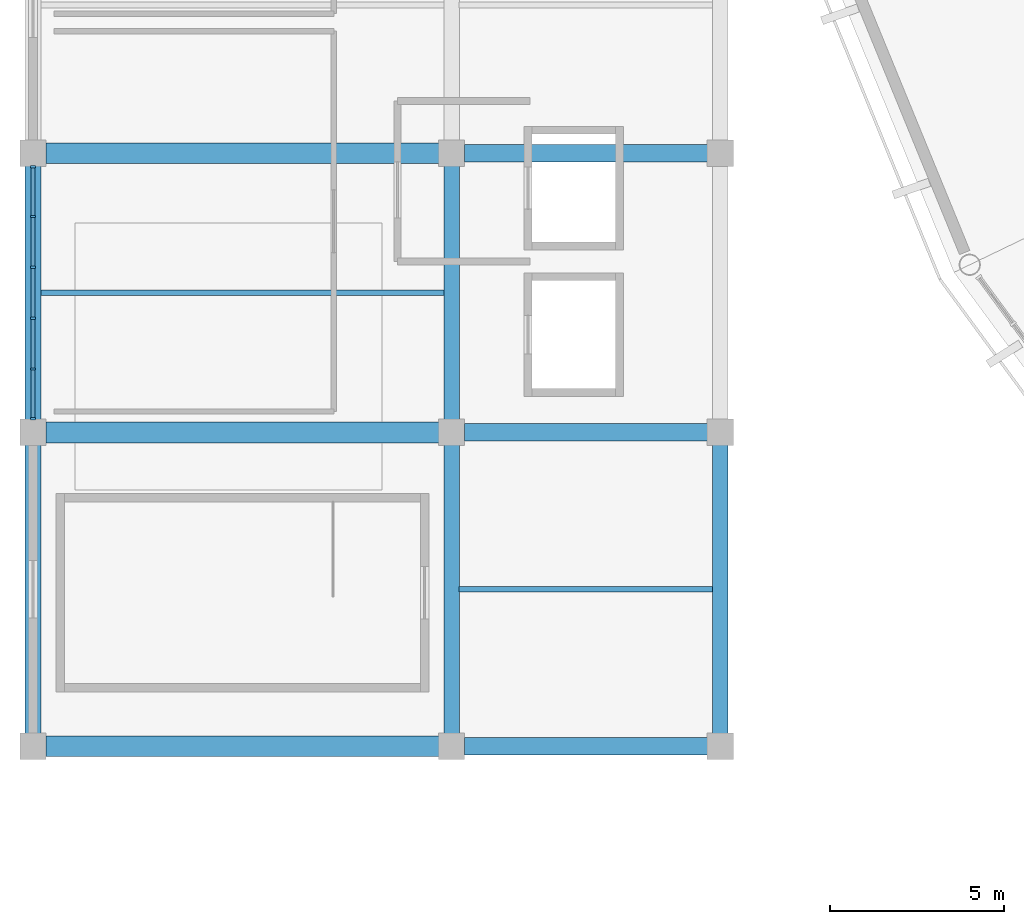
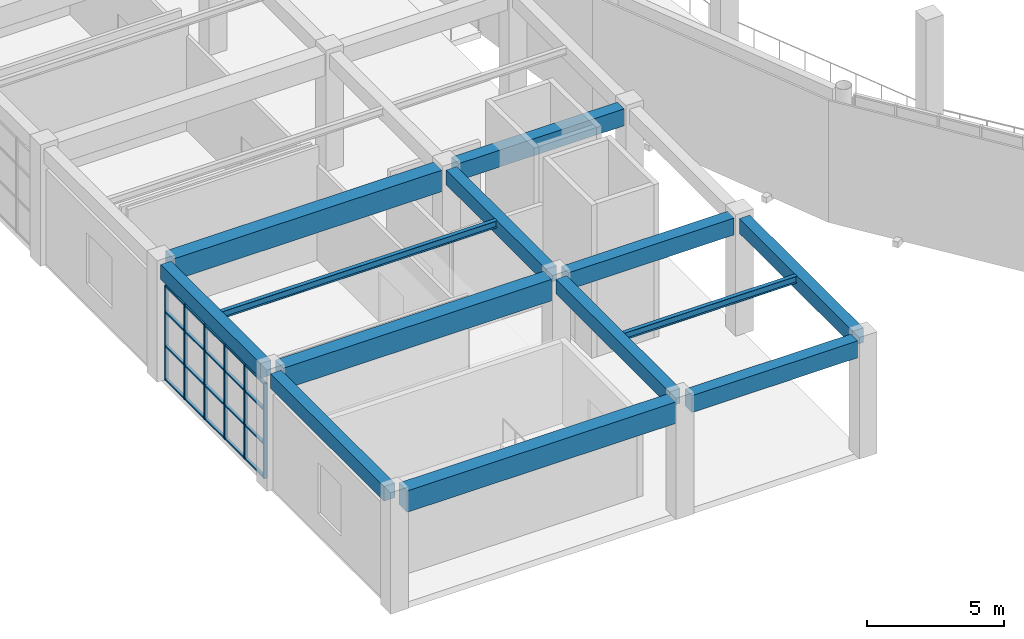
# One storey, part 8 of 40: 26 members, 13 beams, 1 element without a shape of its own.
"""IFC4 building model written with IfcOpenShell, lengths in metres."""

from ifc_helpers import new_model, si_unit, direction, frame, origin, origin_2d, place, context, subcontext, project, spatial, rectangle, i_section, extrude, material, material_profile, profile_set, type_object, element, aggregate, save


model = new_model("IFC4")

# Units and contexts
model_context = context("Model", 3, precision=1e-05, world=origin(), true_north=direction((0.0, 1.0)))
body_context = subcontext(model_context, "Body", "Model", "MODEL_VIEW")
ifc_project = project(units=[si_unit("LENGTHUNIT", "METRE"), si_unit("AREAUNIT", "SQUARE_METRE"), si_unit("VOLUMEUNIT", "CUBIC_METRE"), si_unit("PLANEANGLEUNIT", "RADIAN"), si_unit("MASSUNIT", "GRAM", prefix="KILO")], contexts=[model_context])

# Site, building, storey
site_placement = place(None, origin())
site = spatial("IfcSite", under=ifc_project, at=site_placement, CompositionType="ELEMENT")
building_placement = place(site_placement, origin())
building = spatial("IfcBuilding", under=site, at=building_placement, Name="Cuetzalor Civic Arena", CompositionType="ELEMENT")
storey_placement = place(building_placement, frame((0.0, 0.0, 26.39990234375)))
storey = spatial("IfcBuildingStorey", under=building, at=storey_placement, Name="L05", CompositionType="ELEMENT", Elevation=26.39990234375)

# Beams
ifc_material_1 = material(Name="Concrete C40/50", Category="concrete")
ifc_material_profile_1 = material_profile(ifc_material_1, rectangle(XDim=0.5, YDim=0.75, at=origin_2d()), Name="RC 500x750")
ifc_profile_set_1 = profile_set([ifc_material_profile_1], Name="Concrete C40/50")
beam_type_1 = type_object("IfcBeamType", Name="ConcreteFrameBeam_500x750", PredefinedType="BEAM", material=ifc_profile_set_1)
for number, where, z_axis, x_axis, name in (
    (1, (-63.635009765625, -34.0, 4.80517578125), (1.0, 0.0, 0.0), (0.0, 1.0, 0.0), "Frame Girder V4W-L05-X1208"),
    (2, (-63.635009765625, -25.0, 4.80517578125), (1.0, 0.0, 0.0), (0.0, 1.0, 0.0), "Frame Girder V4W-L05-X1210"),
    (3, (-63.635009765625, -17.0, 4.80517578125), (1.0, 0.0, 0.0), (0.0, 1.0, 0.0), "Frame Girder V4W-L05-X1212"),
):
    element("IfcBeam", number, at=place(storey_placement, frame(where, z_axis=z_axis, x_axis=x_axis)), inside=storey, type_object=beam_type_1, Name=name, PredefinedType="BEAM", context=body_context, shape_type="SweptSolid", body=[
        extrude(rectangle(XDim=0.5, YDim=0.75, at=origin_2d()), origin(), (0.0, 0.0, 1.0), 6.969970703125),
    ])
ifc_material_2 = material(Name="Concrete C40/50", Category="concrete")
ifc_material_profile_2 = material_profile(ifc_material_2, rectangle(XDim=0.60009765625, YDim=0.949951171875, at=origin_2d()), Name="RC 600x950")
ifc_profile_set_2 = profile_set([ifc_material_profile_2], Name="Concrete C40/50")
beam_type_2 = type_object("IfcBeamType", Name="ConcreteFrameBeam_600x950", PredefinedType="BEAM", material=ifc_profile_set_2)
for number, where, z_axis, x_axis, name in (
    (4, (-75.635009765625, -34.0, 4.705078125), (1.0, 0.0, 0.0), (0.0, 1.0, 0.0), "Frame Girder V4W-L05-X1207"),
    (5, (-75.635009765625, -25.0, 4.705078125), (1.0, 0.0, 0.0), (0.0, 1.0, 0.0), "Frame Girder V4W-L05-X1209"),
    (6, (-75.635009765625, -17.0, 4.705078125), (1.0, 0.0, 0.0), (0.0, 1.0, 0.0), "Frame Girder V4W-L05-X1211"),
):
    element("IfcBeam", number, at=place(storey_placement, frame(where, z_axis=z_axis, x_axis=x_axis)), inside=storey, type_object=beam_type_2, Name=name, PredefinedType="BEAM", context=body_context, shape_type="SweptSolid", body=[
        extrude(rectangle(XDim=0.60009765625, YDim=0.949951171875, at=origin_2d()), origin(), (0.0, 0.0, 1.0), 11.27001953125),
    ])
ifc_material_3 = material(Name="Concrete C40/50", Category="concrete")
ifc_material_profile_3 = material_profile(ifc_material_3, rectangle(XDim=0.449951171875, YDim=0.64990234375, at=origin_2d()), Name="RC 450x650")
ifc_profile_set_3 = profile_set([ifc_material_profile_3], Name="Concrete C40/50")
beam_type_3 = type_object("IfcBeamType", Name="ConcreteTieBeam_450x650", PredefinedType="BEAM", material=ifc_profile_set_3)
beam_1_placement = place(storey_placement, frame((-76.0, -33.635009765625, 4.85498046875), z_axis=(0.0, 1.0, 0.0), x_axis=(-1.0, 0.0, 0.0)))
element("IfcBeam", 7, at=beam_1_placement, inside=storey, type_object=beam_type_3, Name="Frame Girder V4W-L05-Y1223", PredefinedType="BEAM", context=body_context, shape_type="SweptSolid", body=[
    extrude(rectangle(XDim=0.449951171875, YDim=0.64990234375, at=origin_2d()), origin(), (0.0, 0.0, 1.0), 8.27001953125),
])
beam_2_placement = place(storey_placement, frame((-76.0, -24.635009765625, 4.85498046875), z_axis=(0.0, 1.0, 0.0), x_axis=(-1.0, 0.0, 0.0)))
element("IfcBeam", 8, at=beam_2_placement, inside=storey, type_object=beam_type_3, Name="Frame Girder V4W-L05-Y1224", PredefinedType="BEAM", context=body_context, shape_type="SweptSolid", body=[
    extrude(rectangle(XDim=0.449951171875, YDim=0.64990234375, at=origin_2d()), origin(), (0.0, 0.0, 1.0), 7.27001953125),
])
beam_3_placement = place(storey_placement, frame((-64.0, -33.635009765625, 4.85498046875), z_axis=(0.0, 1.0, 0.0), x_axis=(-1.0, 0.0, 0.0)))
element("IfcBeam", 9, at=beam_3_placement, inside=storey, type_object=beam_type_3, Name="Frame Girder V4W-L05-Y1230", PredefinedType="BEAM", context=body_context, shape_type="SweptSolid", body=[
    extrude(rectangle(XDim=0.449951171875, YDim=0.64990234375, at=origin_2d()), origin(), (0.0, 0.0, 1.0), 8.27001953125),
])
beam_4_placement = place(storey_placement, frame((-64.0, -24.635009765625, 4.85498046875), z_axis=(0.0, 1.0, 0.0), x_axis=(-1.0, 0.0, 0.0)))
element("IfcBeam", 10, at=beam_4_placement, inside=storey, type_object=beam_type_3, Name="Frame Girder V4W-L05-Y1231", PredefinedType="BEAM", context=body_context, shape_type="SweptSolid", body=[
    extrude(rectangle(XDim=0.449951171875, YDim=0.64990234375, at=origin_2d()), origin(), (0.0, 0.0, 1.0), 7.27001953125),
])
beam_5_placement = place(storey_placement, frame((-56.300048828125, -33.635009765625, 4.85498046875), z_axis=(0.0, 1.0, 0.0), x_axis=(-1.0, 0.0, 0.0)))
element("IfcBeam", 11, at=beam_5_placement, inside=storey, type_object=beam_type_3, Name="Frame Girder V4W-L05-Y1237", PredefinedType="BEAM", context=body_context, shape_type="SweptSolid", body=[
    extrude(rectangle(XDim=0.449951171875, YDim=0.64990234375, at=origin_2d()), origin(), (0.0, 0.0, 1.0), 8.27001953125),
])

# Curtain wall, members
ifc_material_4 = material(Name="Anodised dark bronze aluminium and low-E solar glass", Category="aluminium")
curtain_wall_type = type_object("IfcCurtainWallType", Name="UnitisedCW_7300x4200", PredefinedType="USERDEFINED", material=ifc_material_4)
curtain_wall_placement = place(storey_placement, origin())
curtain_wall = element("IfcCurtainWall", 12, at=curtain_wall_placement, inside=storey, type_object=curtain_wall_type, Name="V4W Media Broadcast Curtain Wall L05-127", ObjectType="UNITISED CURTAIN WALL", PredefinedType="USERDEFINED")
ifc_material_5 = material(Name="Anodised dark bronze aluminium", Category="aluminium")
ifc_material_profile_4 = material_profile(ifc_material_5, rectangle(XDim=0.06494140625, YDim=0.14990234375, at=origin_2d()), Name="ALU MULLION 65x150")
ifc_profile_set_4 = profile_set([ifc_material_profile_4], Name="Anodised dark bronze aluminium")
member_type_1 = type_object("IfcMemberType", Name="CurtainWallMullion_60x150", PredefinedType="MULLION", material=ifc_profile_set_4)
member_1_placement = place(storey_placement, frame((-76.0, -24.610595703125, 0.0), z_axis=(0.0, 0.0, 1.0), x_axis=(0.0, 1.0, 0.0)))
member_1 = element("IfcMember", 13, at=member_1_placement, type_object=member_type_1, Name="CW-49 mullion 1", PredefinedType="MULLION", context=body_context, shape_type="SweptSolid", body=[
    extrude(rectangle(XDim=0.06494140625, YDim=0.14990234375, at=origin_2d()), origin(), (0.0, 0.0, 1.0), 4.22021484375),
])
member_2_placement = place(storey_placement, frame((-76.0, -23.185791015625, 0.0), z_axis=(0.0, 0.0, 1.0), x_axis=(0.0, 1.0, 0.0)))
member_2 = element("IfcMember", 14, at=member_2_placement, type_object=member_type_1, Name="CW-49 mullion 2", PredefinedType="MULLION", context=body_context, shape_type="SweptSolid", body=[
    extrude(rectangle(XDim=0.06494140625, YDim=0.14990234375, at=origin_2d()), origin(), (0.0, 0.0, 1.0), 4.22021484375),
])
member_3_placement = place(storey_placement, frame((-76.0, -21.728515625, 0.0), z_axis=(0.0, 0.0, 1.0), x_axis=(0.0, 1.0, 0.0)))
member_3 = element("IfcMember", 15, at=member_3_placement, type_object=member_type_1, Name="CW-49 mullion 3", PredefinedType="MULLION", context=body_context, shape_type="SweptSolid", body=[
    extrude(rectangle(XDim=0.06494140625, YDim=0.14990234375, at=origin_2d()), origin(), (0.0, 0.0, 1.0), 4.22021484375),
])
member_4_placement = place(storey_placement, frame((-76.0, -20.271484375, 0.0), z_axis=(0.0, 0.0, 1.0), x_axis=(0.0, 1.0, 0.0)))
member_4 = element("IfcMember", 16, at=member_4_placement, type_object=member_type_1, Name="CW-49 mullion 4", PredefinedType="MULLION", context=body_context, shape_type="SweptSolid", body=[
    extrude(rectangle(XDim=0.06494140625, YDim=0.14990234375, at=origin_2d()), origin(), (0.0, 0.0, 1.0), 4.22021484375),
])
member_5_placement = place(storey_placement, frame((-76.0, -18.814208984375, 0.0), z_axis=(0.0, 0.0, 1.0), x_axis=(0.0, 1.0, 0.0)))
member_5 = element("IfcMember", 17, at=member_5_placement, type_object=member_type_1, Name="CW-49 mullion 5", PredefinedType="MULLION", context=body_context, shape_type="SweptSolid", body=[
    extrude(rectangle(XDim=0.06494140625, YDim=0.14990234375, at=origin_2d()), origin(), (0.0, 0.0, 1.0), 4.22021484375),
])
member_6_placement = place(storey_placement, frame((-76.0, -17.389404296875, 0.0), z_axis=(0.0, 0.0, 1.0), x_axis=(0.0, 1.0, 0.0)))
member_6 = element("IfcMember", 18, at=member_6_placement, type_object=member_type_1, Name="CW-49 mullion 6", PredefinedType="MULLION", context=body_context, shape_type="SweptSolid", body=[
    extrude(rectangle(XDim=0.06494140625, YDim=0.14990234375, at=origin_2d()), origin(), (0.0, 0.0, 1.0), 4.22021484375),
])
ifc_material_6 = material(Name="Anodised dark bronze aluminium", Category="aluminium")
ifc_material_profile_5 = material_profile(ifc_material_6, rectangle(XDim=0.1201171875, YDim=0.06494140625, at=origin_2d()), Name="ALU TRANSOM 65x120")
ifc_profile_set_5 = profile_set([ifc_material_profile_5], Name="Anodised dark bronze aluminium")
member_type_2 = type_object("IfcMemberType", Name="CurtainWallTransom_60x120", PredefinedType="USERDEFINED", material=ifc_profile_set_5)
member_7_placement = place(storey_placement, frame((-76.0, -24.577880859375, 0.03271484375), z_axis=(0.0, 1.0, 0.0), x_axis=(-1.0, 0.0, 0.0)))
member_7 = element("IfcMember", 19, at=member_7_placement, type_object=member_type_2, Name="CW-49 transom 1.1", ObjectType="TRANSOM", PredefinedType="USERDEFINED", context=body_context, shape_type="SweptSolid", body=[
    extrude(rectangle(XDim=0.1201171875, YDim=0.06494140625, at=origin_2d()), origin(), (0.0, 0.0, 1.0), 1.359619140625),
])
member_8_placement = place(storey_placement, frame((-76.0, -24.577880859375, 1.51904296875), z_axis=(0.0, 1.0, 0.0), x_axis=(-1.0, 0.0, 0.0)))
member_8 = element("IfcMember", 20, at=member_8_placement, type_object=member_type_2, Name="CW-49 transom 1.2", ObjectType="TRANSOM", PredefinedType="USERDEFINED", context=body_context, shape_type="SweptSolid", body=[
    extrude(rectangle(XDim=0.1201171875, YDim=0.06494140625, at=origin_2d()), origin(), (0.0, 0.0, 1.0), 1.359619140625),
])
member_9_placement = place(storey_placement, frame((-76.0, -24.577880859375, 3.0380859375), z_axis=(0.0, 1.0, 0.0), x_axis=(-1.0, 0.0, 0.0)))
member_9 = element("IfcMember", 21, at=member_9_placement, type_object=member_type_2, Name="CW-49 transom 1.3", ObjectType="TRANSOM", PredefinedType="USERDEFINED", context=body_context, shape_type="SweptSolid", body=[
    extrude(rectangle(XDim=0.1201171875, YDim=0.06494140625, at=origin_2d()), origin(), (0.0, 0.0, 1.0), 1.359619140625),
])
member_10_placement = place(storey_placement, frame((-76.0, -24.577880859375, 4.1875), z_axis=(0.0, 1.0, 0.0), x_axis=(-1.0, 0.0, 0.0)))
member_10 = element("IfcMember", 22, at=member_10_placement, type_object=member_type_2, Name="CW-49 transom 1.4", ObjectType="TRANSOM", PredefinedType="USERDEFINED", context=body_context, shape_type="SweptSolid", body=[
    extrude(rectangle(XDim=0.1201171875, YDim=0.06494140625, at=origin_2d()), origin(), (0.0, 0.0, 1.0), 1.359619140625),
])
member_11_placement = place(storey_placement, frame((-76.0, -23.1533203125, 0.03271484375), z_axis=(0.0, 1.0, 0.0), x_axis=(-1.0, 0.0, 0.0)))
member_11 = element("IfcMember", 23, at=member_11_placement, type_object=member_type_2, Name="CW-49 transom 2.1", ObjectType="TRANSOM", PredefinedType="USERDEFINED", context=body_context, shape_type="SweptSolid", body=[
    extrude(rectangle(XDim=0.1201171875, YDim=0.06494140625, at=origin_2d()), origin(), (0.0, 0.0, 1.0), 1.392333984375),
])
member_12_placement = place(storey_placement, frame((-76.0, -23.1533203125, 1.51904296875), z_axis=(0.0, 1.0, 0.0), x_axis=(-1.0, 0.0, 0.0)))
member_12 = element("IfcMember", 24, at=member_12_placement, type_object=member_type_2, Name="CW-49 transom 2.2", ObjectType="TRANSOM", PredefinedType="USERDEFINED", context=body_context, shape_type="SweptSolid", body=[
    extrude(rectangle(XDim=0.1201171875, YDim=0.06494140625, at=origin_2d()), origin(), (0.0, 0.0, 1.0), 1.392333984375),
])
member_13_placement = place(storey_placement, frame((-76.0, -23.1533203125, 3.0380859375), z_axis=(0.0, 1.0, 0.0), x_axis=(-1.0, 0.0, 0.0)))
member_13 = element("IfcMember", 25, at=member_13_placement, type_object=member_type_2, Name="CW-49 transom 2.3", ObjectType="TRANSOM", PredefinedType="USERDEFINED", context=body_context, shape_type="SweptSolid", body=[
    extrude(rectangle(XDim=0.1201171875, YDim=0.06494140625, at=origin_2d()), origin(), (0.0, 0.0, 1.0), 1.392333984375),
])
member_14_placement = place(storey_placement, frame((-76.0, -23.1533203125, 4.1875), z_axis=(0.0, 1.0, 0.0), x_axis=(-1.0, 0.0, 0.0)))
member_14 = element("IfcMember", 26, at=member_14_placement, type_object=member_type_2, Name="CW-49 transom 2.4", ObjectType="TRANSOM", PredefinedType="USERDEFINED", context=body_context, shape_type="SweptSolid", body=[
    extrude(rectangle(XDim=0.1201171875, YDim=0.06494140625, at=origin_2d()), origin(), (0.0, 0.0, 1.0), 1.392333984375),
])
member_15_placement = place(storey_placement, frame((-76.0, -21.696044921875, 0.03271484375), z_axis=(0.0, 1.0, 0.0), x_axis=(-1.0, 0.0, 0.0)))
member_15 = element("IfcMember", 27, at=member_15_placement, type_object=member_type_2, Name="CW-49 transom 3.1", ObjectType="TRANSOM", PredefinedType="USERDEFINED", context=body_context, shape_type="SweptSolid", body=[
    extrude(rectangle(XDim=0.1201171875, YDim=0.06494140625, at=origin_2d()), origin(), (0.0, 0.0, 1.0), 1.39208984375),
])
member_16_placement = place(storey_placement, frame((-76.0, -21.696044921875, 1.51904296875), z_axis=(0.0, 1.0, 0.0), x_axis=(-1.0, 0.0, 0.0)))
member_16 = element("IfcMember", 28, at=member_16_placement, type_object=member_type_2, Name="CW-49 transom 3.2", ObjectType="TRANSOM", PredefinedType="USERDEFINED", context=body_context, shape_type="SweptSolid", body=[
    extrude(rectangle(XDim=0.1201171875, YDim=0.06494140625, at=origin_2d()), origin(), (0.0, 0.0, 1.0), 1.39208984375),
])
member_17_placement = place(storey_placement, frame((-76.0, -21.696044921875, 3.0380859375), z_axis=(0.0, 1.0, 0.0), x_axis=(-1.0, 0.0, 0.0)))
member_17 = element("IfcMember", 29, at=member_17_placement, type_object=member_type_2, Name="CW-49 transom 3.3", ObjectType="TRANSOM", PredefinedType="USERDEFINED", context=body_context, shape_type="SweptSolid", body=[
    extrude(rectangle(XDim=0.1201171875, YDim=0.06494140625, at=origin_2d()), origin(), (0.0, 0.0, 1.0), 1.39208984375),
])
member_18_placement = place(storey_placement, frame((-76.0, -21.696044921875, 4.1875), z_axis=(0.0, 1.0, 0.0), x_axis=(-1.0, 0.0, 0.0)))
member_18 = element("IfcMember", 30, at=member_18_placement, type_object=member_type_2, Name="CW-49 transom 3.4", ObjectType="TRANSOM", PredefinedType="USERDEFINED", context=body_context, shape_type="SweptSolid", body=[
    extrude(rectangle(XDim=0.1201171875, YDim=0.06494140625, at=origin_2d()), origin(), (0.0, 0.0, 1.0), 1.39208984375),
])
member_19_placement = place(storey_placement, frame((-76.0, -20.239013671875, 0.03271484375), z_axis=(0.0, 1.0, 0.0), x_axis=(-1.0, 0.0, 0.0)))
member_19 = element("IfcMember", 31, at=member_19_placement, type_object=member_type_2, Name="CW-49 transom 4.1", ObjectType="TRANSOM", PredefinedType="USERDEFINED", context=body_context, shape_type="SweptSolid", body=[
    extrude(rectangle(XDim=0.1201171875, YDim=0.06494140625, at=origin_2d()), origin(), (0.0, 0.0, 1.0), 1.392333984375),
])
member_20_placement = place(storey_placement, frame((-76.0, -20.239013671875, 1.51904296875), z_axis=(0.0, 1.0, 0.0), x_axis=(-1.0, 0.0, 0.0)))
member_20 = element("IfcMember", 32, at=member_20_placement, type_object=member_type_2, Name="CW-49 transom 4.2", ObjectType="TRANSOM", PredefinedType="USERDEFINED", context=body_context, shape_type="SweptSolid", body=[
    extrude(rectangle(XDim=0.1201171875, YDim=0.06494140625, at=origin_2d()), origin(), (0.0, 0.0, 1.0), 1.392333984375),
])
member_21_placement = place(storey_placement, frame((-76.0, -20.239013671875, 3.0380859375), z_axis=(0.0, 1.0, 0.0), x_axis=(-1.0, 0.0, 0.0)))
member_21 = element("IfcMember", 33, at=member_21_placement, type_object=member_type_2, Name="CW-49 transom 4.3", ObjectType="TRANSOM", PredefinedType="USERDEFINED", context=body_context, shape_type="SweptSolid", body=[
    extrude(rectangle(XDim=0.1201171875, YDim=0.06494140625, at=origin_2d()), origin(), (0.0, 0.0, 1.0), 1.392333984375),
])
member_22_placement = place(storey_placement, frame((-76.0, -20.239013671875, 4.1875), z_axis=(0.0, 1.0, 0.0), x_axis=(-1.0, 0.0, 0.0)))
member_22 = element("IfcMember", 34, at=member_22_placement, type_object=member_type_2, Name="CW-49 transom 4.4", ObjectType="TRANSOM", PredefinedType="USERDEFINED", context=body_context, shape_type="SweptSolid", body=[
    extrude(rectangle(XDim=0.1201171875, YDim=0.06494140625, at=origin_2d()), origin(), (0.0, 0.0, 1.0), 1.392333984375),
])
member_23_placement = place(storey_placement, frame((-76.0, -18.78173828125, 0.03271484375), z_axis=(0.0, 1.0, 0.0), x_axis=(-1.0, 0.0, 0.0)))
member_23 = element("IfcMember", 35, at=member_23_placement, type_object=member_type_2, Name="CW-49 transom 5.1", ObjectType="TRANSOM", PredefinedType="USERDEFINED", context=body_context, shape_type="SweptSolid", body=[
    extrude(rectangle(XDim=0.1201171875, YDim=0.06494140625, at=origin_2d()), origin(), (0.0, 0.0, 1.0), 1.359619140625),
])
member_24_placement = place(storey_placement, frame((-76.0, -18.78173828125, 1.51904296875), z_axis=(0.0, 1.0, 0.0), x_axis=(-1.0, 0.0, 0.0)))
member_24 = element("IfcMember", 36, at=member_24_placement, type_object=member_type_2, Name="CW-49 transom 5.2", ObjectType="TRANSOM", PredefinedType="USERDEFINED", context=body_context, shape_type="SweptSolid", body=[
    extrude(rectangle(XDim=0.1201171875, YDim=0.06494140625, at=origin_2d()), origin(), (0.0, 0.0, 1.0), 1.359619140625),
])
member_25_placement = place(storey_placement, frame((-76.0, -18.78173828125, 3.0380859375), z_axis=(0.0, 1.0, 0.0), x_axis=(-1.0, 0.0, 0.0)))
member_25 = element("IfcMember", 37, at=member_25_placement, type_object=member_type_2, Name="CW-49 transom 5.3", ObjectType="TRANSOM", PredefinedType="USERDEFINED", context=body_context, shape_type="SweptSolid", body=[
    extrude(rectangle(XDim=0.1201171875, YDim=0.06494140625, at=origin_2d()), origin(), (0.0, 0.0, 1.0), 1.359619140625),
])
member_26_placement = place(storey_placement, frame((-76.0, -18.78173828125, 4.1875), z_axis=(0.0, 1.0, 0.0), x_axis=(-1.0, 0.0, 0.0)))
member_26 = element("IfcMember", 38, at=member_26_placement, type_object=member_type_2, Name="CW-49 transom 5.4", ObjectType="TRANSOM", PredefinedType="USERDEFINED", context=body_context, shape_type="SweptSolid", body=[
    extrude(rectangle(XDim=0.1201171875, YDim=0.06494140625, at=origin_2d()), origin(), (0.0, 0.0, 1.0), 1.359619140625),
])
aggregate(curtain_wall, [member_1, member_2, member_3, member_4, member_5, member_6, member_7, member_8, member_9, member_10, member_11, member_12, member_13, member_14, member_15, member_16, member_17, member_18, member_19, member_20, member_21, member_22, member_23, member_24, member_25, member_26])

# Beams
ifc_material_7 = material(Name="Steel S355", Category="steel")
ifc_material_profile_6 = material_profile(ifc_material_7, i_section(OverallWidth=0.166015625, OverallDepth=0.31298828125, WebThickness=0.006591796875, FlangeThickness=0.01123046875, at=origin_2d()), Name="W310x45")
ifc_profile_set_6 = profile_set([ifc_material_profile_6], Name="Steel S355")
beam_type_4 = type_object("IfcBeamType", Name="SecondaryRoofJoist_W310", PredefinedType="JOIST", material=ifc_profile_set_6)
beam_6_placement = place(storey_placement, frame((-75.782958984375, -21.0, 5.023681640625), z_axis=(1.0, 0.0, 0.0), x_axis=(0.0, 1.0, 0.0)))
element("IfcBeam", 39, at=beam_6_placement, inside=storey, type_object=beam_type_4, Name="Secondary Floor Joist V4W-L05-0378", PredefinedType="JOIST", context=body_context, shape_type="SweptSolid", body=[
    extrude(i_section(OverallWidth=0.166015625, OverallDepth=0.31298828125, WebThickness=0.006591796875, FlangeThickness=0.01123046875, at=origin_2d()), origin(), (0.0, 0.0, 1.0), 11.56591796875),
])
beam_7_placement = place(storey_placement, frame((-63.782958984375, -29.5, 5.023681640625), z_axis=(1.0, 0.0, 0.0), x_axis=(0.0, 1.0, 0.0)))
element("IfcBeam", 40, at=beam_7_placement, inside=storey, type_object=beam_type_4, Name="Secondary Floor Joist V4W-L05-0383", PredefinedType="JOIST", context=body_context, shape_type="SweptSolid", body=[
    extrude(i_section(OverallWidth=0.166015625, OverallDepth=0.31298828125, WebThickness=0.006591796875, FlangeThickness=0.01123046875, at=origin_2d()), origin(), (0.0, 0.0, 1.0), 7.265869140625),
])

save(model, "model.ifc")
